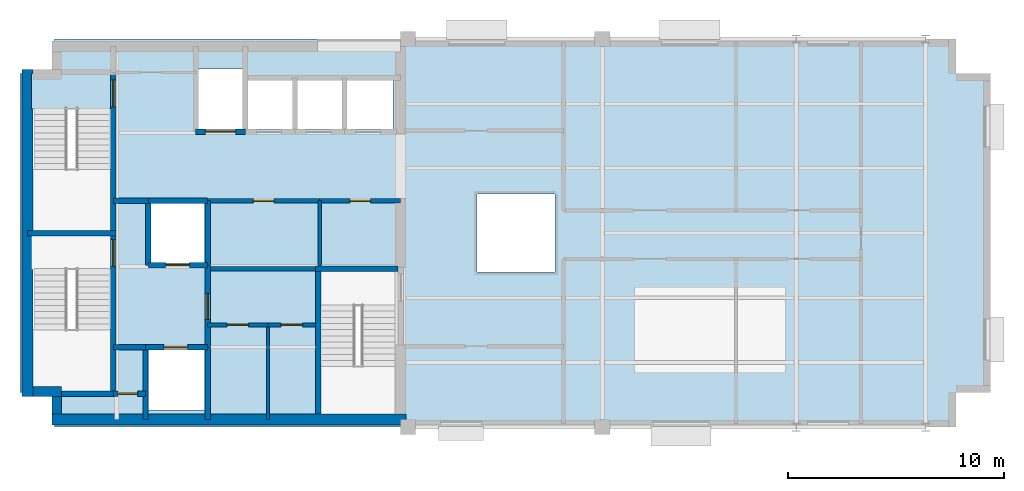
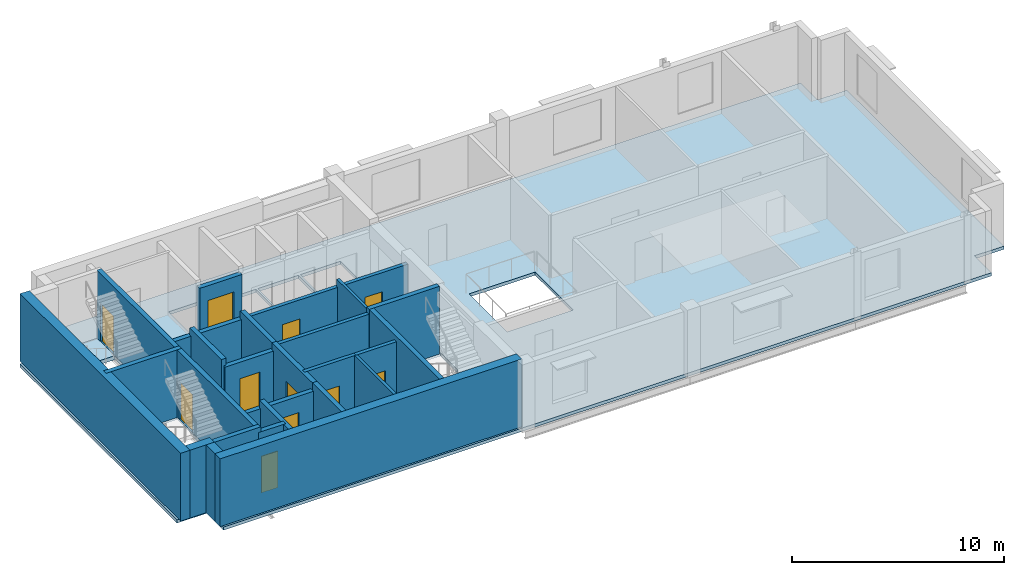
# One storey, part 2 of 5: 29 walls, 11 doors, 2 slabs, 11 openings, 1 element without a shape of its own.
"""IFC4 building model written with IfcOpenShell, lengths in metres."""

from ifc_helpers import new_model, si_unit, direction, frame, frame_2d, origin, place, context, subcontext, project, spatial, polyline, rectangle, outline, extrude, material, layer, layer_set, type_object, element, fill, aggregate, save


model = new_model("IFC4")

# Units and contexts
model_context = context("Model", 3, precision=1e-05, world=origin(), true_north=direction((0.0, 1.0)))
body_context = subcontext(model_context, "Body", "Model", "MODEL_VIEW")
ifc_project = project(units=[si_unit("LENGTHUNIT", "METRE"), si_unit("AREAUNIT", "SQUARE_METRE"), si_unit("VOLUMEUNIT", "CUBIC_METRE"), si_unit("PLANEANGLEUNIT", "RADIAN"), si_unit("MASSUNIT", "GRAM", prefix="KILO")], contexts=[model_context])

# Site, building, storey
site_placement = place(None, origin())
site = spatial("IfcSite", under=ifc_project, at=site_placement, CompositionType="ELEMENT")
building_placement = place(site_placement, origin())
building = spatial("IfcBuilding", under=site, at=building_placement, Name="Mawjdan Bourse Tower", CompositionType="ELEMENT")
storey_placement = place(building_placement, frame((0.0, 0.0, 309.300048828125)))
storey = spatial("IfcBuildingStorey", under=building, at=storey_placement, Name="L76", CompositionType="ELEMENT", Elevation=309.300048828125)

# Stair, slab
ifc_material_1 = material(Name="Concrete C50/60", Category="concrete")
stair_type = type_object("IfcStairType", Name="STR-CORE-1500", PredefinedType="HALF_TURN_STAIR", material=ifc_material_1)
stair_placement = place(storey_placement, origin())
stair = element("IfcStair", 1, at=stair_placement, inside=storey, type_object=stair_type, Name="L76 Exit Stair 2 (Core North-West)", PredefinedType="HALF_TURN_STAIR")
ifc_layer_1 = layer(ifc_material_1, 0.22998046875)
ifc_layer_set_1 = layer_set([ifc_layer_1], Name="Concrete C50/60")
slab_type_1 = type_object("IfcSlabType", Name="SL-LND-230", PredefinedType="LANDING", material=ifc_layer_set_1)
slab_1_placement = place(storey_placement, frame((0.0, 0.0, -0.22998046875)))
slab_1 = element("IfcSlab", 2, at=slab_1_placement, type_object=slab_type_1, Name="ST2-L76 landing 1", PredefinedType="LANDING", context=body_context, shape_type="SweptSolid", body=[
    extrude(outline(polyline([(6.5400390625, 17.75), (10.260009765625, 17.75), (10.260009765625, 19.409912109375), (6.5400390625, 19.409912109375), (6.5400390625, 17.75)])), origin(), (0.0, 0.0, 1.0), 0.22998046875),
])
aggregate(stair, [slab_1])

# Slab
ifc_layer_2 = layer(ifc_material_1, 0.18505859375)
ifc_layer_set_2 = layer_set([ifc_layer_2], Name="Concrete C50/60")
slab_type_2 = type_object("IfcSlabType", Name="SL-SMT-185", PredefinedType="FLOOR", material=ifc_layer_set_2)
slab_2_placement = place(storey_placement, frame((0.0, 0.0, -0.18505859375)))
element("IfcSlab", 3, at=slab_2_placement, inside=storey, type_object=slab_type_2, Name="L76 Structural Floor Slab 1", PredefinedType="FLOOR", context=body_context, shape_type="SweptSolid", body=[
    extrude(outline(polyline([(7.60009765625, 3.0), (49.39990234375, 3.0), (49.39990234375, 4.60009765625), (51.0, 4.60009765625), (51.0, 19.39990234375), (49.39990234375, 19.39990234375), (49.39990234375, 21.0), (7.60009765625, 21.0), (7.60009765625, 19.39990234375), (6.0, 19.39990234375), (6.0, 4.60009765625), (7.60009765625, 4.60009765625), (7.60009765625, 3.0)]), holes=[polyline([(14.550048828125, 3.800048828125), (11.949951171875, 3.800048828125), (11.949951171875, 6.60009765625), (14.550048828125, 6.60009765625), (14.550048828125, 3.800048828125)]), polyline([(10.260009765625, 11.969970703125), (10.260009765625, 10.31005859375), (10.199951171875, 10.31005859375), (10.199951171875, 4.64990234375), (6.60009765625, 4.64990234375), (6.60009765625, 10.31005859375), (6.5400390625, 10.31005859375), (6.5400390625, 11.969970703125), (10.260009765625, 11.969970703125)]), polyline([(14.550048828125, 10.60009765625), (12.050048828125, 10.60009765625), (12.050048828125, 13.39990234375), (14.550048828125, 13.39990234375), (14.550048828125, 10.60009765625)]), polyline([(6.60009765625, 12.090087890625), (6.60009765625, 17.75), (6.5400390625, 17.75), (6.5400390625, 19.3798828125), (7.60009765625, 19.3798828125), (7.60205078125, 19.380126953125), (7.60400390625, 19.38037109375), (7.605712890625, 19.380859375), (7.607666015625, 19.381591796875), (7.609375, 19.38232421875), (7.611083984375, 19.38330078125), (7.61279296875, 19.384521484375), (7.614013671875, 19.385986328125), (7.615478515625, 19.38720703125), (7.61669921875, 19.388916015625), (7.61767578125, 19.390625), (7.618408203125, 19.392333984375), (7.619140625, 19.394287109375), (7.61962890625, 19.39599609375), (7.619873046875, 19.39794921875), (7.6201171875, 19.39990234375), (7.6201171875, 19.409912109375), (10.260009765625, 19.409912109375), (10.260009765625, 17.75), (10.199951171875, 17.75), (10.199951171875, 12.090087890625), (6.60009765625, 12.090087890625)]), polyline([(14.199951171875, 16.800048828125), (14.199951171875, 19.60009765625), (16.39990234375, 19.60009765625), (16.39990234375, 16.800048828125), (14.199951171875, 16.800048828125)]), polyline([(23.610107421875, 10.280029296875), (23.610107421875, 8.6201171875), (23.550048828125, 8.6201171875), (23.550048828125, 3.6201171875), (19.949951171875, 3.6201171875), (19.949951171875, 8.6201171875), (19.889892578125, 8.6201171875), (19.889892578125, 10.280029296875), (23.610107421875, 10.280029296875)]), polyline([(27.199951171875, 10.199951171875), (27.199951171875, 13.800048828125), (30.800048828125, 13.800048828125), (30.800048828125, 10.199951171875), (27.199951171875, 10.199951171875)]), polyline([(16.5, 16.800048828125), (16.5, 19.14990234375), (18.699951171875, 19.14990234375), (18.699951171875, 16.800048828125), (16.5, 16.800048828125)]), polyline([(18.800048828125, 16.800048828125), (18.800048828125, 19.14990234375), (21.0, 19.14990234375), (21.0, 16.800048828125), (18.800048828125, 16.800048828125)]), polyline([(21.10009765625, 16.800048828125), (21.10009765625, 19.14990234375), (23.300048828125, 19.14990234375), (23.300048828125, 16.800048828125), (21.10009765625, 16.800048828125)])]), origin(), (0.0, 0.0, 1.0), 0.18505859375),
])

# Wall, opening, door
ifc_material_2 = material(Name="Gypsum Fireboard Assembly")
ifc_layer_3 = layer(ifc_material_2, 0.199951171875)
ifc_layer_set_3 = layer_set([ifc_layer_3], Name="Gypsum Fireboard Assembly")
wall_type_1 = type_object("IfcWallType", Name="WL-CMP-200", PredefinedType="PARTITIONING", material=ifc_layer_set_3)
wall_1_placement = place(storey_placement, frame((14.699951171875, 7.739990234375, 0.0), z_axis=(0.0, 0.0, 1.0), x_axis=(1.0, 0.0, 0.0)))
wall_1 = element("IfcWall", 4, at=wall_1_placement, inside=storey, type_object=wall_type_1, Name="L76 First Aid & Wellness Room North Wall", PredefinedType="PARTITIONING", context=body_context, shape_type="SweptSolid", body=[
    extrude(rectangle(XDim=2.800048828125, YDim=0.199951171875, at=frame_2d((1.39990234375, 0.0))), origin(), (0.0, 0.0, 1.0), 3.60986328125),
])
opening_1_placement = place(wall_1_placement, frame((0.89990234375, 0.0, 0.0)))
opening_1 = element("IfcOpeningElement", 5, at=opening_1_placement, cuts=wall_1, Name="Opening D-L76-13", PredefinedType="OPENING", context=body_context, shape_type="SweptSolid", body=[
    extrude(rectangle(XDim=1.0, YDim=2.14990234375, at=frame_2d((0.5, 1.074951171875))), frame((0.0, 0.10986328125, 0.0), z_axis=(0.0, -1.0, 0.0), x_axis=(1.0, 0.0, 0.0)), (0.0, 0.0, 1.0), 0.219970703125),
])
ifc_material_3 = material(Name="Hardwood Acoustic Leaf", Category="wood")
door_type_1 = type_object("IfcDoorType", Name="DR-OFC-1000", OperationType="NOTDEFINED", PredefinedType="DOOR", material=ifc_material_3)
door_1_placement = place(opening_1_placement, origin())
door_1 = element("IfcDoor", 6, at=door_1_placement, inside=storey, type_object=door_type_1, Name="L76 First Aid & Wellness Room Door D-L76-13", OperationType="SINGLE_SWING_LEFT", OverallHeight=2.14990234375, OverallWidth=1.0, PredefinedType="DOOR", context=body_context, shape_type="SweptSolid", body=[
    extrude(rectangle(XDim=1.0, YDim=2.14990234375, at=frame_2d((0.5, 1.074951171875))), frame((0.0, 0.02490234375, 0.0), z_axis=(0.0, -1.0, 0.0), x_axis=(1.0, 0.0, 0.0)), (0.0, 0.0, 1.0), 0.050048828125),
])
fill(opening_1, door_1)

wall_2_placement = place(storey_placement, frame((17.5, 7.739990234375, 0.0), z_axis=(0.0, 0.0, 1.0), x_axis=(1.0, 0.0, 0.0)))
wall_2 = element("IfcWall", 7, at=wall_2_placement, inside=storey, type_object=wall_type_1, Name="L76 Reprographics & Pantry Suite North Wall", PredefinedType="PARTITIONING", context=body_context, shape_type="SweptSolid", body=[
    extrude(rectangle(XDim=2.199951171875, YDim=0.199951171875, at=frame_2d((1.10009765625, 0.0))), origin(), (0.0, 0.0, 1.0), 3.60986328125),
])
opening_2_placement = place(wall_2_placement, frame((0.60009765625, 0.0, 0.0)))
opening_2 = element("IfcOpeningElement", 8, at=opening_2_placement, cuts=wall_2, Name="Opening D-L76-14", PredefinedType="OPENING", context=body_context, shape_type="SweptSolid", body=[
    extrude(rectangle(XDim=1.0, YDim=2.14990234375, at=frame_2d((0.5, 1.074951171875))), frame((0.0, 0.10986328125, 0.0), z_axis=(0.0, -1.0, 0.0), x_axis=(1.0, 0.0, 0.0)), (0.0, 0.0, 1.0), 0.219970703125),
])
door_2_placement = place(opening_2_placement, origin())
door_2 = element("IfcDoor", 9, at=door_2_placement, inside=storey, type_object=door_type_1, Name="L76 Reprographics & Pantry Suite Door D-L76-14", OperationType="SINGLE_SWING_RIGHT", OverallHeight=2.14990234375, OverallWidth=1.0, PredefinedType="DOOR", context=body_context, shape_type="SweptSolid", body=[
    extrude(rectangle(XDim=1.0, YDim=2.14990234375, at=frame_2d((0.5, 1.074951171875))), frame((0.0, 0.02490234375, 0.0), z_axis=(0.0, -1.0, 0.0), x_axis=(1.0, 0.0, 0.0)), (0.0, 0.0, 1.0), 0.050048828125),
])
fill(opening_2, door_2)

# Wall
wall_3_placement = place(storey_placement, frame((14.824951171875, 10.340087890625, 0.0), z_axis=(0.0, 0.0, 1.0), x_axis=(1.0, 0.0, 0.0)))
element("IfcWall", 10, at=wall_3_placement, inside=storey, type_object=wall_type_1, Name="L76 Core Restroom Suite South Wall", PredefinedType="PARTITIONING", context=body_context, shape_type="SweptSolid", body=[
    extrude(rectangle(XDim=4.880126953125, YDim=0.199951171875, at=frame_2d((2.43994140625, 0.0))), origin(), (0.0, 0.0, 1.0), 3.60986328125),
])

# Wall, opening, door
wall_4_placement = place(storey_placement, frame((14.699951171875, 13.5, 0.0), z_axis=(0.0, 0.0, 1.0), x_axis=(1.0, 0.0, 0.0)))
wall_4 = element("IfcWall", 11, at=wall_4_placement, inside=storey, type_object=wall_type_1, Name="L76 Male Restroom North Wall", PredefinedType="PARTITIONING", context=body_context, shape_type="SweptSolid", body=[
    extrude(rectangle(XDim=5.199951171875, YDim=0.199951171875, at=frame_2d((2.60009765625, 0.0))), origin(), (0.0, 0.0, 1.0), 3.202880859375),
])
opening_3_placement = place(wall_4_placement, frame((2.125, 0.0, 0.0)))
opening_3 = element("IfcOpeningElement", 12, at=opening_3_placement, cuts=wall_4, Name="Opening D-L76-15", PredefinedType="OPENING", context=body_context, shape_type="SweptSolid", body=[
    extrude(rectangle(XDim=0.949951171875, YDim=2.10009765625, at=frame_2d((0.47509765625, 1.050048828125))), frame((0.0, 0.10986328125, 0.0), z_axis=(0.0, -1.0, 0.0), x_axis=(1.0, 0.0, 0.0)), (0.0, 0.0, 1.0), 0.219970703125),
])
ifc_material_4 = material(Name="Moisture-Resistant Laminate Timber", Category="wood")
door_type_2 = type_object("IfcDoorType", Name="DR-WET-0950", OperationType="NOTDEFINED", PredefinedType="DOOR", material=ifc_material_4)
door_3_placement = place(opening_3_placement, origin())
door_3 = element("IfcDoor", 13, at=door_3_placement, inside=storey, type_object=door_type_2, Name="L76 Male Restroom Door D-L76-15", OperationType="SINGLE_SWING_LEFT", OverallHeight=2.10009765625, OverallWidth=0.949951171875, PredefinedType="DOOR", context=body_context, shape_type="SweptSolid", body=[
    extrude(rectangle(XDim=0.949951171875, YDim=2.10009765625, at=frame_2d((0.47509765625, 1.050048828125))), frame((0.0, 0.02490234375, 0.0), z_axis=(0.0, -1.0, 0.0), x_axis=(1.0, 0.0, 0.0)), (0.0, 0.0, 1.0), 0.050048828125),
])
fill(opening_3, door_3)

wall_5_placement = place(storey_placement, frame((19.89990234375, 13.5, 0.0), z_axis=(0.0, 0.0, 1.0), x_axis=(1.0, 0.0, 0.0)))
wall_5 = element("IfcWall", 14, at=wall_5_placement, inside=storey, type_object=wall_type_1, Name="L76 Accessible WC North Wall", PredefinedType="PARTITIONING", context=body_context, shape_type="SweptSolid", body=[
    extrude(rectangle(XDim=3.75, YDim=0.199951171875, at=frame_2d((1.875, 0.0))), origin(), (0.0, 0.0, 1.0), 3.202880859375),
])
opening_4_placement = place(wall_5_placement, frame((1.39990234375, 0.0, 0.0)))
opening_4 = element("IfcOpeningElement", 15, at=opening_4_placement, cuts=wall_5, Name="Opening D-L76-16", PredefinedType="OPENING", context=body_context, shape_type="SweptSolid", body=[
    extrude(rectangle(XDim=0.949951171875, YDim=2.10009765625, at=frame_2d((0.47509765625, 1.050048828125))), frame((0.0, 0.10986328125, 0.0), z_axis=(0.0, -1.0, 0.0), x_axis=(1.0, 0.0, 0.0)), (0.0, 0.0, 1.0), 0.219970703125),
])
door_4_placement = place(opening_4_placement, origin())
door_4 = element("IfcDoor", 16, at=door_4_placement, inside=storey, type_object=door_type_2, Name="L76 Accessible WC Door D-L76-16", OperationType="SINGLE_SWING_RIGHT", OverallHeight=2.10009765625, OverallWidth=0.949951171875, PredefinedType="DOOR", context=body_context, shape_type="SweptSolid", body=[
    extrude(rectangle(XDim=0.949951171875, YDim=2.10009765625, at=frame_2d((0.47509765625, 1.050048828125))), frame((0.0, 0.02490234375, 0.0), z_axis=(0.0, -1.0, 0.0), x_axis=(1.0, 0.0, 0.0)), (0.0, 0.0, 1.0), 0.050048828125),
])
fill(opening_4, door_4)

# Walls
ifc_material_5 = material(Name="Concrete C60/75", Category="concrete")
ifc_layer_4 = layer(ifc_material_5, 0.449951171875)
ifc_layer_set_4 = layer_set([ifc_layer_4], Name="Concrete C60/75")
wall_type_2 = type_object("IfcWallType", Name="WL-CORE-450", PredefinedType="SHEAR", material=ifc_layer_set_4)
wall_6_placement = place(storey_placement, frame((6.60009765625, 4.64990234375, 0.0), z_axis=(0.0, 0.0, 1.0), x_axis=(1.0, 0.0, 0.0)))
element("IfcWall", 17, at=wall_6_placement, inside=storey, type_object=wall_type_2, Name="L76 Rear Core Shear Wall SW-X", PredefinedType="SHEAR", context=body_context, shape_type="SweptSolid", body=[
    extrude(rectangle(XDim=1.324951171875, YDim=0.449951171875, at=frame_2d((0.66259765625, 0.0))), origin(), (0.0, 0.0, 1.0), 3.89990234375),
])
wall_7_placement = place(storey_placement, frame((7.699951171875, 3.60009765625, 0.0), z_axis=(0.0, 0.0, 1.0), x_axis=(0.0, 1.0, 0.0)))
element("IfcWall", 18, at=wall_7_placement, inside=storey, type_object=wall_type_2, Name="L76 Rear Core Shear Wall SW-Y", PredefinedType="SHEAR", context=body_context, shape_type="SweptSolid", body=[
    extrude(rectangle(XDim=0.824951171875, YDim=0.449951171875, at=frame_2d((0.41259765625, 0.0))), origin(), (0.0, 0.0, 1.0), 3.89990234375),
])
ifc_layer_5 = layer(ifc_material_5, 0.5)
ifc_layer_set_5 = layer_set([ifc_layer_5], Name="Concrete C60/75")
wall_type_3 = type_object("IfcWallType", Name="WL-CORE-500", PredefinedType="SHEAR", material=ifc_layer_set_5)
wall_8_placement = place(storey_placement, frame((7.47509765625, 3.35009765625, 0.0), z_axis=(0.0, 0.0, 1.0), x_axis=(1.0, 0.0, 0.0)))
element("IfcWall", 19, at=wall_8_placement, inside=storey, type_object=wall_type_3, Name="L76 Rear Core Shear Wall S", PredefinedType="SHEAR", context=body_context, shape_type="SweptSolid", body=[
    extrude(rectangle(XDim=16.4248046875, YDim=0.5, at=frame_2d((8.21240234375, 0.0))), origin(), (0.0, 0.0, 1.0), 3.89990234375),
])
wall_9_placement = place(storey_placement, frame((6.35009765625, 4.425048828125, 0.0), z_axis=(0.0, 0.0, 1.0), x_axis=(0.0, 1.0, 0.0)))
element("IfcWall", 20, at=wall_9_placement, inside=storey, type_object=wall_type_3, Name="L76 Rear Core Shear Wall W", PredefinedType="SHEAR", context=body_context, shape_type="SweptSolid", body=[
    extrude(rectangle(XDim=15.14990234375, YDim=0.5, at=frame_2d((7.574951171875, 0.0))), origin(), (0.0, 0.0, 1.0), 3.89990234375),
])
ifc_material_6 = material(Name="Gypsum Acoustic Partition")
ifc_layer_6 = layer(ifc_material_6, 0.14990234375)
ifc_layer_set_6 = layer_set([ifc_layer_6], Name="Gypsum Acoustic Partition")
wall_type_4 = type_object("IfcWallType", Name="WL-PRT-150", PredefinedType="PARTITIONING", material=ifc_layer_set_6)
wall_10_placement = place(storey_placement, frame((17.5, 3.35009765625, 0.0), z_axis=(0.0, 0.0, 1.0), x_axis=(0.0, 1.0, 0.0)))
element("IfcWall", 21, at=wall_10_placement, inside=storey, type_object=wall_type_4, Name="L76 Reprographics & Pantry Suite Core Split Wall", PredefinedType="PARTITIONING", context=body_context, shape_type="SweptSolid", body=[
    extrude(rectangle(XDim=4.389892578125, YDim=0.14990234375, at=frame_2d((2.19482421875, 0.0))), origin(), (0.0, 0.0, 1.0), 3.60986328125),
])
wall_11_placement = place(storey_placement, frame((19.89990234375, 10.465087890625, 0.0), z_axis=(0.0, 0.0, 1.0), x_axis=(0.0, 1.0, 0.0)))
element("IfcWall", 22, at=wall_11_placement, inside=storey, type_object=wall_type_4, Name="L76 Accessible WC Split Wall", PredefinedType="PARTITIONING", context=body_context, shape_type="SweptSolid", body=[
    extrude(rectangle(XDim=3.034912109375, YDim=0.14990234375, at=frame_2d((1.517578125, 0.0))), origin(), (0.0, 0.0, 1.0), 3.60986328125),
])

# Wall, opening, door
ifc_layer_7 = layer(ifc_material_1, 0.25)
ifc_layer_set_7 = layer_set([ifc_layer_7], Name="Concrete C50/60")
wall_type_5 = type_object("IfcWallType", Name="WL-SHFT-250", PredefinedType="PARTITIONING", material=ifc_layer_set_7)
wall_12_placement = place(storey_placement, frame((10.330078125, 4.550048828125, 0.0), z_axis=(0.0, 0.0, 1.0), x_axis=(1.0, 0.0, 0.0)))
wall_12 = element("IfcWall", 23, at=wall_12_placement, inside=storey, type_object=wall_type_5, Name="L76 SW Riser North Wall", PredefinedType="PARTITIONING", context=body_context, shape_type="SweptSolid", body=[
    extrude(rectangle(XDim=1.489990234375, YDim=0.25, at=frame_2d((0.7451171875, 0.0))), origin(), (0.0, 0.0, 1.0), 3.60986328125),
])
opening_5_placement = place(wall_12_placement, frame((0.219970703125, 0.0, 0.0)))
opening_5 = element("IfcOpeningElement", 24, at=opening_5_placement, cuts=wall_12, Name="Opening RD-L76-03", PredefinedType="OPENING", context=body_context, shape_type="SweptSolid", body=[
    extrude(rectangle(XDim=0.89990234375, YDim=2.10009765625, at=frame_2d((0.449951171875, 1.050048828125))), frame((0.0, 0.135009765625, 0.0), z_axis=(0.0, -1.0, 0.0), x_axis=(1.0, 0.0, 0.0)), (0.0, 0.0, 1.0), 0.27001953125),
])
ifc_material_7 = material(Name="Fire-Rated Steel Access Leaf", Category="steel")
door_type_3 = type_object("IfcDoorType", Name="FD-RSR-0900", OperationType="NOTDEFINED", PredefinedType="TRAPDOOR", material=ifc_material_7)
door_5_placement = place(opening_5_placement, origin())
door_5 = element("IfcDoor", 25, at=door_5_placement, inside=storey, type_object=door_type_3, Name="L76 Electrical Riser Access Door RD-L76-03", OperationType="SINGLE_SWING_LEFT", OverallHeight=2.10009765625, OverallWidth=0.89990234375, PredefinedType="TRAPDOOR", context=body_context, shape_type="SweptSolid", body=[
    extrude(rectangle(XDim=0.89990234375, YDim=2.10009765625, at=frame_2d((0.449951171875, 1.050048828125))), frame((0.0, 0.02490234375, 0.0), z_axis=(0.0, -1.0, 0.0), x_axis=(1.0, 0.0, 0.0)), (0.0, 0.0, 1.0), 0.050048828125),
])
fill(opening_5, door_5)

# Wall
wall_13_placement = place(storey_placement, frame((11.820068359375, 3.35009765625, 0.0), z_axis=(0.0, 0.0, 1.0), x_axis=(0.0, 1.0, 0.0)))
element("IfcWall", 26, at=wall_13_placement, inside=storey, type_object=wall_type_5, Name="L76 SW Riser & FFL01 West Wall", PredefinedType="PARTITIONING", context=body_context, shape_type="SweptSolid", body=[
    extrude(rectangle(XDim=3.349853515625, YDim=0.25, at=frame_2d((1.6748046875, 0.0))), origin(), (0.0, 0.0, 1.0), 3.60986328125),
])

# Wall, opening, door
wall_14_placement = place(storey_placement, frame((11.820068359375, 6.699951171875, 0.0), z_axis=(0.0, 0.0, 1.0), x_axis=(1.0, 0.0, 0.0)))
wall_14 = element("IfcWall", 27, at=wall_14_placement, inside=storey, type_object=wall_type_5, Name="L76 FFL-01 Front Shaft Wall", PredefinedType="PARTITIONING", context=body_context, shape_type="SweptSolid", body=[
    extrude(rectangle(XDim=2.8798828125, YDim=0.25, at=frame_2d((1.43994140625, 0.0))), origin(), (0.0, 0.0, 1.0), 3.202880859375),
])
opening_6_placement = place(wall_14_placement, frame((0.85009765625, 0.0, 0.0)))
opening_6 = element("IfcOpeningElement", 28, at=opening_6_placement, cuts=wall_14, Name="Opening LD-L76-05", PredefinedType="OPENING", context=body_context, shape_type="SweptSolid", body=[
    extrude(rectangle(XDim=1.10009765625, YDim=2.25, at=frame_2d((0.550048828125, 1.125))), frame((0.0, 0.135009765625, 0.0), z_axis=(0.0, -1.0, 0.0), x_axis=(1.0, 0.0, 0.0)), (0.0, 0.0, 1.0), 0.27001953125),
])
ifc_material_8 = material(Name="Brushed Stainless Steel", Category="steel")
door_type_4 = type_object("IfcDoorType", Name="LD-FFL-1100", OperationType="DOUBLE_DOOR_SLIDING", PredefinedType="DOOR", material=ifc_material_8)
door_6_placement = place(opening_6_placement, origin())
door_6 = element("IfcDoor", 29, at=door_6_placement, inside=storey, type_object=door_type_4, Name="L76 Firefighting Lift FFL-01 Landing Door LD-L76-05", OperationType="DOUBLE_DOOR_SLIDING", OverallHeight=2.25, OverallWidth=1.10009765625, PredefinedType="DOOR", context=body_context, shape_type="SweptSolid", body=[
    extrude(rectangle(XDim=1.10009765625, YDim=2.25, at=frame_2d((0.550048828125, 1.125))), frame((0.0, 0.02490234375, 0.0), z_axis=(0.0, -1.0, 0.0), x_axis=(1.0, 0.0, 0.0)), (0.0, 0.0, 1.0), 0.050048828125),
])
fill(opening_6, door_6)

# Wall
wall_15_placement = place(storey_placement, frame((14.699951171875, 3.35009765625, 0.0), z_axis=(0.0, 0.0, 1.0), x_axis=(0.0, 1.0, 0.0)))
element("IfcWall", 30, at=wall_15_placement, inside=storey, type_object=wall_type_5, Name="L76 FFL-01 East Shaft Wall", PredefinedType="PARTITIONING", context=body_context, shape_type="SweptSolid", body=[
    extrude(rectangle(XDim=3.349853515625, YDim=0.25, at=frame_2d((1.6748046875, 0.0))), origin(), (0.0, 0.0, 1.0), 3.60986328125),
])

# Wall, opening, door
wall_16_placement = place(storey_placement, frame((11.949951171875, 10.5, 0.0), z_axis=(0.0, 0.0, 1.0), x_axis=(1.0, 0.0, 0.0)))
wall_16 = element("IfcWall", 31, at=wall_16_placement, inside=storey, type_object=wall_type_5, Name="L76 FFL-02 Front Shaft Wall", PredefinedType="PARTITIONING", context=body_context, shape_type="SweptSolid", body=[
    extrude(rectangle(XDim=2.75, YDim=0.25, at=frame_2d((1.375, 0.0))), origin(), (0.0, 0.0, 1.0), 3.202880859375),
])
opening_7_placement = place(wall_16_placement, frame((0.800048828125, 0.0, 0.0)))
opening_7 = element("IfcOpeningElement", 32, at=opening_7_placement, cuts=wall_16, Name="Opening LD-L76-06", PredefinedType="OPENING", context=body_context, shape_type="SweptSolid", body=[
    extrude(rectangle(XDim=1.10009765625, YDim=2.25, at=frame_2d((0.550048828125, 1.125))), frame((0.0, 0.135009765625, 0.0), z_axis=(0.0, -1.0, 0.0), x_axis=(1.0, 0.0, 0.0)), (0.0, 0.0, 1.0), 0.27001953125),
])
door_7_placement = place(opening_7_placement, origin())
door_7 = element("IfcDoor", 33, at=door_7_placement, inside=storey, type_object=door_type_4, Name="L76 Firefighting Lift FFL-02 Landing Door LD-L76-06", OperationType="DOUBLE_DOOR_SLIDING", OverallHeight=2.25, OverallWidth=1.10009765625, PredefinedType="DOOR", context=body_context, shape_type="SweptSolid", body=[
    extrude(rectangle(XDim=1.10009765625, YDim=2.25, at=frame_2d((0.550048828125, 1.125))), frame((0.0, 0.02490234375, 0.0), z_axis=(0.0, -1.0, 0.0), x_axis=(1.0, 0.0, 0.0)), (0.0, 0.0, 1.0), 0.050048828125),
])
fill(opening_7, door_7)

# Walls
wall_17_placement = place(storey_placement, frame((11.949951171875, 10.5, 0.0), z_axis=(0.0, 0.0, 1.0), x_axis=(0.0, 1.0, 0.0)))
element("IfcWall", 34, at=wall_17_placement, inside=storey, type_object=wall_type_5, Name="L76 FFL-02 West Shaft Wall", PredefinedType="PARTITIONING", context=body_context, shape_type="SweptSolid", body=[
    extrude(rectangle(XDim=3.0, YDim=0.25, at=frame_2d((1.5, 0.0))), origin(), (0.0, 0.0, 1.0), 3.60986328125),
])
wall_18_placement = place(storey_placement, frame((11.949951171875, 13.5, 0.0), z_axis=(0.0, 0.0, 1.0), x_axis=(1.0, 0.0, 0.0)))
element("IfcWall", 35, at=wall_18_placement, inside=storey, type_object=wall_type_5, Name="L76 FFL-02 North Shaft Wall", PredefinedType="PARTITIONING", context=body_context, shape_type="SweptSolid", body=[
    extrude(rectangle(XDim=2.75, YDim=0.25, at=frame_2d((1.375, 0.0))), origin(), (0.0, 0.0, 1.0), 3.202880859375),
])
wall_19_placement = place(storey_placement, frame((14.699951171875, 10.5, 0.0), z_axis=(0.0, 0.0, 1.0), x_axis=(0.0, 1.0, 0.0)))
element("IfcWall", 36, at=wall_19_placement, inside=storey, type_object=wall_type_5, Name="L76 FFL-02 East Shaft Wall", PredefinedType="PARTITIONING", context=body_context, shape_type="SweptSolid", body=[
    extrude(rectangle(XDim=3.0, YDim=0.25, at=frame_2d((1.5, 0.0))), origin(), (0.0, 0.0, 1.0), 3.60986328125),
])

# Wall, opening, door
wall_20_placement = place(storey_placement, frame((14.699951171875, 6.699951171875, 0.0), z_axis=(0.0, 0.0, 1.0), x_axis=(0.0, 1.0, 0.0)))
wall_20 = element("IfcWall", 37, at=wall_20_placement, inside=storey, type_object=wall_type_5, Name="L76 Firefighting Lobby East Compartment Wall", PredefinedType="PARTITIONING", context=body_context, shape_type="SweptSolid", body=[
    extrude(rectangle(XDim=3.800048828125, YDim=0.25, at=frame_2d((1.89990234375, 0.0))), origin(), (0.0, 0.0, 1.0), 3.60986328125),
])
opening_8_placement = place(wall_20_placement, frame((1.300048828125, 0.0, 0.0)))
opening_8 = element("IfcOpeningElement", 38, at=opening_8_placement, cuts=wall_20, Name="Opening FD-L76-07", PredefinedType="OPENING", context=body_context, shape_type="SweptSolid", body=[
    extrude(rectangle(XDim=1.199951171875, YDim=2.199951171875, at=frame_2d((0.60009765625, 1.10009765625))), frame((0.0, 0.135009765625, 0.0), z_axis=(0.0, -1.0, 0.0), x_axis=(1.0, 0.0, 0.0)), (0.0, 0.0, 1.0), 0.27001953125),
])
ifc_material_9 = material(Name="Fire-Rated Steel Leaf", Category="steel")
door_type_5 = type_object("IfcDoorType", Name="FD-FFL-1200", OperationType="NOTDEFINED", PredefinedType="DOOR", material=ifc_material_9)
door_8_placement = place(opening_8_placement, origin())
door_8 = element("IfcDoor", 39, at=door_8_placement, inside=storey, type_object=door_type_5, Name="L76 Firefighting Lobby East Smoke Door FD-L76-07", OperationType="SINGLE_SWING_LEFT", OverallHeight=2.199951171875, OverallWidth=1.199951171875, PredefinedType="DOOR", context=body_context, shape_type="SweptSolid", body=[
    extrude(rectangle(XDim=1.199951171875, YDim=2.199951171875, at=frame_2d((0.60009765625, 1.10009765625))), frame((0.0, 0.02490234375, 0.0), z_axis=(0.0, -1.0, 0.0), x_axis=(1.0, 0.0, 0.0)), (0.0, 0.0, 1.0), 0.050048828125),
])
fill(opening_8, door_8)

# Walls
wall_21_placement = place(storey_placement, frame((10.330078125, 13.5, 0.0), z_axis=(0.0, 0.0, 1.0), x_axis=(1.0, 0.0, 0.0)))
element("IfcWall", 40, at=wall_21_placement, inside=storey, type_object=wall_type_5, Name="L76 Firefighting Lobby North Compartment Wall", PredefinedType="PARTITIONING", context=body_context, shape_type="SweptSolid", body=[
    extrude(rectangle(XDim=1.619873046875, YDim=0.25, at=frame_2d((0.81005859375, 0.0))), origin(), (0.0, 0.0, 1.0), 3.202880859375),
])
wall_22_placement = place(storey_placement, frame((10.330078125, 6.699951171875, 0.0), z_axis=(0.0, 0.0, 1.0), x_axis=(1.0, 0.0, 0.0)))
element("IfcWall", 41, at=wall_22_placement, inside=storey, type_object=wall_type_5, Name="L76 Firefighting Lobby South Closure Wall", PredefinedType="PARTITIONING", context=body_context, shape_type="SweptSolid", body=[
    extrude(rectangle(XDim=1.489990234375, YDim=0.25, at=frame_2d((0.7451171875, 0.0))), origin(), (0.0, 0.0, 1.0), 3.202880859375),
])

# Wall, opening, door
wall_23_placement = place(storey_placement, frame((14.14990234375, 16.699951171875, 0.0), z_axis=(0.0, 0.0, 1.0), x_axis=(1.0, 0.0, 0.0)))
wall_23 = element("IfcWall", 42, at=wall_23_placement, inside=storey, type_object=wall_type_5, Name="L76 SVL-01 Front Shaft Wall", PredefinedType="PARTITIONING", context=body_context, shape_type="SweptSolid", body=[
    extrude(rectangle(XDim=2.300048828125, YDim=0.25, at=frame_2d((1.14990234375, 0.0))), origin(), (0.0, 0.0, 1.0), 3.202880859375),
])
opening_9_placement = place(wall_23_placement, frame((0.449951171875, 0.0, 0.0)))
opening_9 = element("IfcOpeningElement", 43, at=opening_9_placement, cuts=wall_23, Name="Opening LD-L76-09", PredefinedType="OPENING", context=body_context, shape_type="SweptSolid", body=[
    extrude(rectangle(XDim=1.39990234375, YDim=2.35009765625, at=frame_2d((0.699951171875, 1.175048828125))), frame((0.0, 0.135009765625, 0.0), z_axis=(0.0, -1.0, 0.0), x_axis=(1.0, 0.0, 0.0)), (0.0, 0.0, 1.0), 0.27001953125),
])
ifc_material_10 = material(Name="Heavy-Duty Stainless Steel", Category="steel")
door_type_6 = type_object("IfcDoorType", Name="LD-SRV-1400", OperationType="DOUBLE_DOOR_SLIDING", PredefinedType="DOOR", material=ifc_material_10)
door_9_placement = place(opening_9_placement, origin())
door_9 = element("IfcDoor", 44, at=door_9_placement, inside=storey, type_object=door_type_6, Name="L76 Service Lift SVL-01 Landing Door LD-L76-09", OperationType="DOUBLE_DOOR_SLIDING", OverallHeight=2.35009765625, OverallWidth=1.39990234375, PredefinedType="DOOR", context=body_context, shape_type="SweptSolid", body=[
    extrude(rectangle(XDim=1.39990234375, YDim=2.35009765625, at=frame_2d((0.699951171875, 1.175048828125))), frame((0.0, 0.02490234375, 0.0), z_axis=(0.0, -1.0, 0.0), x_axis=(1.0, 0.0, 0.0)), (0.0, 0.0, 1.0), 0.050048828125),
])
fill(opening_9, door_9)

# Walls
ifc_layer_8 = layer(ifc_material_1, 0.25)
ifc_layer_set_8 = layer_set([ifc_layer_8], Name="Concrete C50/60")
wall_type_6 = type_object("IfcWallType", Name="WL-STRW-250", PredefinedType="SHEAR", material=ifc_layer_set_8)
wall_24_placement = place(storey_placement, frame((6.35009765625, 12.0, 0.0), z_axis=(0.0, 0.0, 1.0), x_axis=(1.0, 0.0, 0.0)))
element("IfcWall", 45, at=wall_24_placement, inside=storey, type_object=wall_type_6, Name="L76 Stairwell Dividing Shaft Wall", PredefinedType="SHEAR", context=body_context, shape_type="SweptSolid", body=[
    extrude(rectangle(XDim=4.10498046875, YDim=0.25, at=frame_2d((2.052490234375, 0.0))), origin(), (0.0, 0.0, 1.0), 3.89990234375),
])
wall_25_placement = place(storey_placement, frame((7.699951171875, 4.550048828125, 0.0), z_axis=(0.0, 0.0, 1.0), x_axis=(1.0, 0.0, 0.0)))
element("IfcWall", 46, at=wall_25_placement, inside=storey, type_object=wall_type_6, Name="L76 Stairwell ST1 South Shaft Wall", PredefinedType="SHEAR", context=body_context, shape_type="SweptSolid", body=[
    extrude(rectangle(XDim=2.755126953125, YDim=0.25, at=frame_2d((1.37744140625, 0.0))), origin(), (0.0, 0.0, 1.0), 3.89990234375),
])

# Wall, opening, door
wall_26_placement = place(storey_placement, frame((10.330078125, 4.550048828125, 0.0), z_axis=(0.0, 0.0, 1.0), x_axis=(0.0, 1.0, 0.0)))
wall_26 = element("IfcWall", 47, at=wall_26_placement, inside=storey, type_object=wall_type_6, Name="L76 Stairwell ST1 East Enclosure Wall", PredefinedType="SHEAR", context=body_context, shape_type="SweptSolid", body=[
    extrude(rectangle(XDim=7.449951171875, YDim=0.25, at=frame_2d((3.72509765625, 0.0))), origin(), (0.0, 0.0, 1.0), 3.89990234375),
])
opening_10_placement = place(wall_26_placement, frame((5.89990234375, 0.0, 0.0)))
opening_10 = element("IfcOpeningElement", 48, at=opening_10_placement, cuts=wall_26, Name="Opening SD-L76-01", PredefinedType="OPENING", context=body_context, shape_type="SweptSolid", body=[
    extrude(rectangle(XDim=1.25, YDim=2.199951171875, at=frame_2d((0.625, 1.10009765625))), frame((0.0, 0.135009765625, 0.0), z_axis=(0.0, -1.0, 0.0), x_axis=(1.0, 0.0, 0.0)), (0.0, 0.0, 1.0), 0.27001953125),
])
door_type_7 = type_object("IfcDoorType", Name="FD-ST-1250", OperationType="NOTDEFINED", PredefinedType="DOOR", material=ifc_material_9)
door_10_placement = place(opening_10_placement, origin())
door_10 = element("IfcDoor", 49, at=door_10_placement, inside=storey, type_object=door_type_7, Name="L76 Exit Stair ST1 Fire Door SD-L76-01", OperationType="SINGLE_SWING_LEFT", OverallHeight=2.199951171875, OverallWidth=1.25, PredefinedType="DOOR", context=body_context, shape_type="SweptSolid", body=[
    extrude(rectangle(XDim=1.25, YDim=2.199951171875, at=frame_2d((0.625, 1.10009765625))), frame((0.0, 0.02490234375, 0.0), z_axis=(0.0, -1.0, 0.0), x_axis=(1.0, 0.0, 0.0)), (0.0, 0.0, 1.0), 0.050048828125),
])
fill(opening_10, door_10)

wall_27_placement = place(storey_placement, frame((10.330078125, 12.0, 0.0), z_axis=(0.0, 0.0, 1.0), x_axis=(0.0, 1.0, 0.0)))
wall_27 = element("IfcWall", 50, at=wall_27_placement, inside=storey, type_object=wall_type_6, Name="L76 Stairwell ST2 East Enclosure Wall", PredefinedType="SHEAR", context=body_context, shape_type="SweptSolid", body=[
    extrude(rectangle(XDim=7.449951171875, YDim=0.25, at=frame_2d((3.72509765625, 0.0))), origin(), (0.0, 0.0, 1.0), 3.89990234375),
])
opening_11_placement = place(wall_27_placement, frame((5.85009765625, 0.0, 0.0)))
opening_11 = element("IfcOpeningElement", 51, at=opening_11_placement, cuts=wall_27, Name="Opening SD-L76-02", PredefinedType="OPENING", context=body_context, shape_type="SweptSolid", body=[
    extrude(rectangle(XDim=1.25, YDim=2.199951171875, at=frame_2d((0.625, 1.10009765625))), frame((0.0, 0.135009765625, 0.0), z_axis=(0.0, -1.0, 0.0), x_axis=(1.0, 0.0, 0.0)), (0.0, 0.0, 1.0), 0.27001953125),
])
door_11_placement = place(opening_11_placement, origin())
door_11 = element("IfcDoor", 52, at=door_11_placement, inside=storey, type_object=door_type_7, Name="L76 Exit Stair ST2 Fire Door SD-L76-02", OperationType="SINGLE_SWING_RIGHT", OverallHeight=2.199951171875, OverallWidth=1.25, PredefinedType="DOOR", context=body_context, shape_type="SweptSolid", body=[
    extrude(rectangle(XDim=1.25, YDim=2.199951171875, at=frame_2d((0.625, 1.10009765625))), frame((0.0, 0.02490234375, 0.0), z_axis=(0.0, -1.0, 0.0), x_axis=(1.0, 0.0, 0.0)), (0.0, 0.0, 1.0), 0.050048828125),
])
fill(opening_11, door_11)

# Walls
wall_28_placement = place(storey_placement, frame((19.830078125, 3.60009765625, 0.0), z_axis=(0.0, 0.0, 1.0), x_axis=(0.0, 1.0, 0.0)))
element("IfcWall", 53, at=wall_28_placement, inside=storey, type_object=wall_type_6, Name="L76 ST7 West Shaft Wall", PredefinedType="SHEAR", context=body_context, shape_type="SweptSolid", body=[
    extrude(rectangle(XDim=6.739990234375, YDim=0.25, at=frame_2d((3.3701171875, 0.0))), origin(), (0.0, 0.0, 1.0), 3.89990234375),
])
wall_29_placement = place(storey_placement, frame((19.705078125, 10.340087890625, 0.0), z_axis=(0.0, 0.0, 1.0), x_axis=(1.0, 0.0, 0.0)))
element("IfcWall", 54, at=wall_29_placement, inside=storey, type_object=wall_type_6, Name="L76 ST7 North Shaft Wall", PredefinedType="SHEAR", context=body_context, shape_type="SweptSolid", body=[
    extrude(rectangle(XDim=3.81982421875, YDim=0.25, at=frame_2d((1.909912109375, 0.0))), origin(), (0.0, 0.0, 1.0), 3.89990234375),
])

save(model, "model.ifc")
